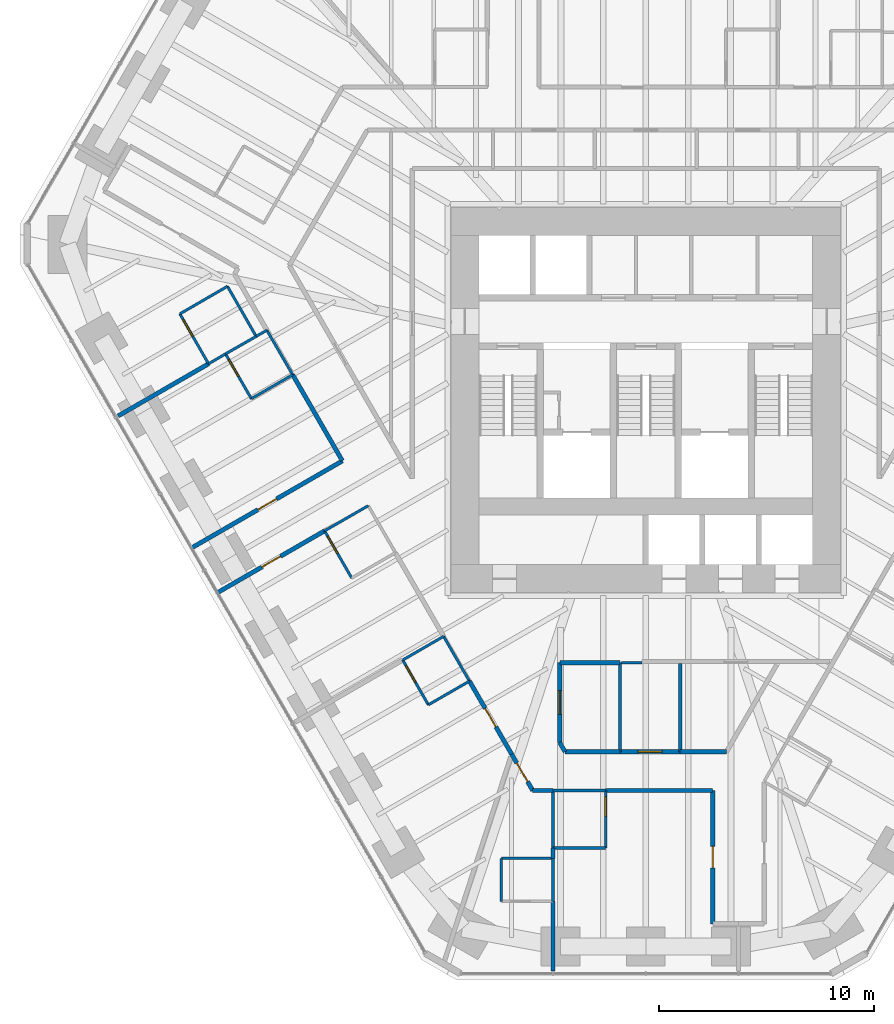
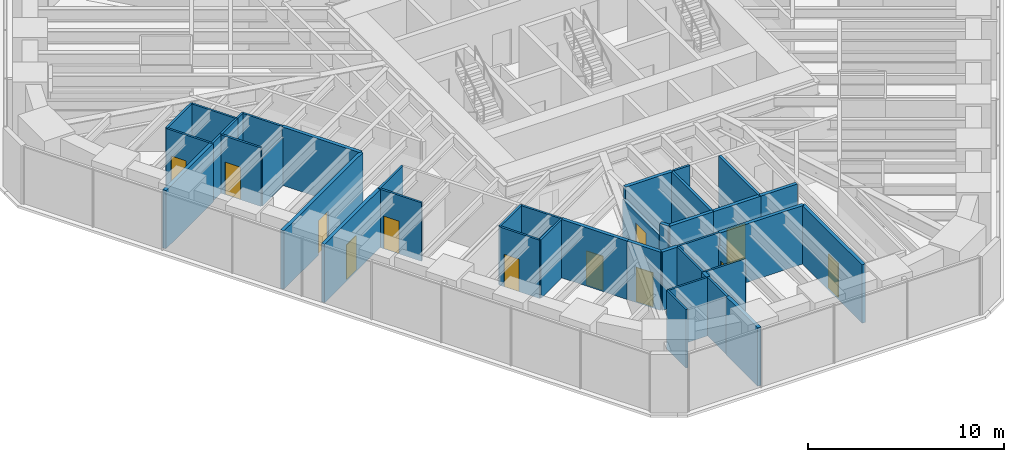
# One storey, part 11 of 16: 42 walls, 12 doors, 12 openings.
"""IFC4 building model written with IfcOpenShell, lengths in metres."""

import ifcopenshell
import ifcopenshell.guid

model = None  # the IFC model being written
_history = None  # IfcOwnerHistory: only IFC2X3 demands one
_inside = {}  # id of a spatial element -> (the spatial element, [elements in it])
_under = {}  # id of a project, library or spatial element -> (it, [spatial elements below it])
_declared = {}  # id of a project -> (the project, [libraries it declares])
_typed = {}  # id of a type object -> (the type object, [elements of that type])
_made_of = {}  # id of a material, layer set ... -> (it, [elements and type objects made of it])


def new_model(schema):
    """Start an empty IFC model of exactly this schema.

    Asked for "IFC4X3", IfcOpenShell would pick the latest addendum, in which some entities
    have other attributes; the version numbers below select the first issue.
    IFC2X3 requires an IfcOwnerHistory on every rooted entity: one is made here for all.
    """
    global model, _history
    if schema == "IFC4X3":
        model = ifcopenshell.file(schema_version=(4, 3, 0, 0))
    else:
        model = ifcopenshell.file(schema=schema)
    _inside.clear()
    _under.clear()
    _declared.clear()
    _typed.clear()
    _made_of.clear()
    _history = None
    if model.schema == "IFC2X3":
        org = make("IfcOrganization", Name="unknown")
        user = make(
            "IfcPersonAndOrganization",
            ThePerson=make("IfcPerson", FamilyName="unknown"),
            TheOrganization=org,
        )
        app = make(
            "IfcApplication",
            ApplicationDeveloper=org,
            Version="unknown",
            ApplicationFullName="unknown",
            ApplicationIdentifier="unknown",
        )
        _history = make(
            "IfcOwnerHistory",
            OwningUser=user,
            OwningApplication=app,
            ChangeAction="ADDED",
            CreationDate=0,
        )
    return model


def make(cls, **values):
    """One entity of the class cls with the attributes given. An attribute that is None is left unset."""
    return model.create_entity(
        cls, **{name: value for name, value in values.items() if value is not None}
    )


def rooted(cls, **values):
    """An entity with a GlobalId (a new one), such as an element, a storey or a relation."""
    return make(cls, GlobalId=ifcopenshell.guid.new(), OwnerHistory=_history, **values)


def si_unit(unit_type, name, prefix=None):
    """IfcSIUnit, for example si_unit("LENGTHUNIT", "METRE", prefix="MILLI")."""
    return make("IfcSIUnit", UnitType=unit_type, Prefix=prefix, Name=name)


def assignment(units):
    """IfcUnitAssignment: the units of a project."""
    return None if units is None else make("IfcUnitAssignment", Units=units)


def point(xyz):
    """IfcCartesianPoint."""
    return None if xyz is None else make("IfcCartesianPoint", Coordinates=xyz)


def direction(xyz):
    """IfcDirection."""
    return None if xyz is None else make("IfcDirection", DirectionRatios=xyz)


def frame(location, z_axis=None, x_axis=None):
    """IfcAxis2Placement3D, a coordinate frame: its origin and axes. An axis left out is left unset."""
    return make(
        "IfcAxis2Placement3D",
        Location=point(location),
        Axis=direction(z_axis),
        RefDirection=direction(x_axis),
    )


def frame_2d(location, x_axis=None):
    """IfcAxis2Placement2D, a coordinate frame in the plane: its origin and x axis."""
    return make(
        "IfcAxis2Placement2D", Location=point(location), RefDirection=direction(x_axis)
    )


def origin():
    """The frame at (0, 0, 0) with its axes left unset."""
    return frame((0.0, 0.0, 0.0))


def place(relative_to, where):
    """IfcLocalPlacement: puts the frame where relative to a parent placement (None: the world)."""
    return make(
        "IfcLocalPlacement", PlacementRelTo=relative_to, RelativePlacement=where
    )


def context(
    kind, dimensions, precision=None, world=None, true_north=None, identifier=None
):
    """IfcGeometricRepresentationContext, for example the 3D "Model" context."""
    return make(
        "IfcGeometricRepresentationContext",
        ContextIdentifier=identifier,
        ContextType=kind,
        CoordinateSpaceDimension=dimensions,
        Precision=precision,
        WorldCoordinateSystem=world,
        TrueNorth=true_north,
    )


def subcontext(parent, identifier, kind, view, scale=None):
    """IfcGeometricRepresentationSubContext, for example "Body" below "Model"."""
    return make(
        "IfcGeometricRepresentationSubContext",
        ContextIdentifier=identifier,
        ContextType=kind,
        ParentContext=parent,
        TargetScale=scale,
        TargetView=view,
    )


def project(units=None, contexts=None):
    """IfcProject with its units and contexts."""
    return rooted(
        "IfcProject",
        Name="project",
        RepresentationContexts=contexts,
        UnitsInContext=assignment(units),
    )


def spatial(cls, under=None, at=None, **own):
    """A site, building, storey or space (cls), placed at a placement, below another one or the project."""
    s = rooted(cls, ObjectPlacement=at, **own)
    if under is not None:
        _under.setdefault(under.id(), (under, []))[1].append(s)
    return s


def profile(cls, at=None, kind="AREA", **sizes):
    """A parametric profile (cls). Its sizes go by their IFC names, for example OverallWidth=200.0."""
    return make(cls, ProfileType=kind, Position=at, **sizes)


def rectangle(**sizes):
    """IfcRectangleProfileDef."""
    return profile("IfcRectangleProfileDef", **sizes)


def extrude(swept, where, along, depth):
    """IfcExtrudedAreaSolid: the profile swept, set in the frame where, extruded along a direction by depth."""
    return make(
        "IfcExtrudedAreaSolid",
        SweptArea=swept,
        Position=where,
        ExtrudedDirection=direction(along),
        Depth=depth,
    )


def shape(context_of_items, identifier, shape_type, items):
    """IfcShapeRepresentation: the items that make up one representation, for example the "Body"."""
    return make(
        "IfcShapeRepresentation",
        ContextOfItems=context_of_items,
        RepresentationIdentifier=identifier,
        RepresentationType=shape_type,
        Items=items,
    )


def material(Name=None, Category=None):
    """IfcMaterial."""
    return make("IfcMaterial", Name=Name, Category=Category)


def layer(
    of_material, thickness, ventilated=None, Name=None, Category=None, Priority=None
):
    """IfcMaterialLayer: one layer of a wall or slab, of a material (None: an air gap)."""
    return make(
        "IfcMaterialLayer",
        Material=of_material,
        LayerThickness=thickness,
        IsVentilated=ventilated,
        Name=Name,
        Category=Category,
        Priority=Priority,
    )


def layer_set(layers, Name=None):
    """IfcMaterialLayerSet."""
    return make("IfcMaterialLayerSet", MaterialLayers=layers, LayerSetName=Name)


def made_of(thing, what):
    """Note that an element or type object is made of a material, layer set ...; save() writes the relation."""
    if what is not None:
        _made_of.setdefault(what.id(), (what, []))[1].append(thing)
    return thing


def type_object(cls, material=None, **own):
    """A type object (cls), such as IfcWallType, which elements share."""
    return made_of(rooted(cls, **own), material)


def element(
    cls,
    number,
    at=None,
    inside=None,
    cuts=None,
    type_object=None,
    material=None,
    context=None,
    identifier="Body",
    shape_type=None,
    held_by="IfcProductDefinitionShape",
    body=None,
    shapes=None,
    **own,
):
    """One element of the class cls, such as IfcWall. Its Tag is "e" and its number.

    at: its placement. inside: the storey or other place that contains it. cuts: it is an
    opening in that element (IfcRelVoidsElement). A single representation is given by context,
    identifier, shape_type and body (its items); several are given by shapes. held_by: the class
    of the entity that holds the representations. save() writes the other relations.
    """
    e = rooted(cls, Tag="e%d" % number, ObjectPlacement=at, **own)
    if body is not None:
        shapes = [shape(context, identifier, shape_type, body)]
    if shapes is not None:
        e.Representation = make(held_by, Representations=shapes)
    if inside is not None:
        _inside.setdefault(inside.id(), (inside, []))[1].append(e)
    if cuts is not None:
        rooted(
            "IfcRelVoidsElement", RelatingBuildingElement=cuts, RelatedOpeningElement=e
        )
    if type_object is not None:
        _typed.setdefault(type_object.id(), (type_object, []))[1].append(e)
    return made_of(e, material)


def fill(opening, filler):
    """IfcRelFillsElement: the door or window that sits in an opening."""
    return rooted(
        "IfcRelFillsElement",
        RelatingOpeningElement=opening,
        RelatedBuildingElement=filler,
    )


def aggregate(whole, parts):
    """IfcRelAggregates: a whole, such as a stair, and the parts it consists of."""
    return rooted("IfcRelAggregates", RelatingObject=whole, RelatedObjects=parts)


def save(model, path):
    """Write the relations noted so far, then the file.

    IfcRelAggregates (storeys below a building ...), IfcRelContainedInSpatialStructure (elements
    in a storey), IfcRelDefinesByType, IfcRelAssociatesMaterial and IfcRelDeclares: one each for
    every whole, place, type object, material and project.
    """
    for whole, parts in _under.values():
        aggregate(whole, parts)
    for where, things in _inside.values():
        rooted(
            "IfcRelContainedInSpatialStructure",
            RelatedElements=things,
            RelatingStructure=where,
        )
    for kind, things in _typed.values():
        rooted("IfcRelDefinesByType", RelatedObjects=things, RelatingType=kind)
    for what, things in _made_of.values():
        rooted("IfcRelAssociatesMaterial", RelatedObjects=things, RelatingMaterial=what)
    for by, libraries in _declared.values():
        rooted("IfcRelDeclares", RelatingContext=by, RelatedDefinitions=libraries)
    model.write(path)


model = new_model("IFC4")

# Units and contexts
model_context = context("Model", 3, precision=1e-05, world=origin(), true_north=direction((0.0, 1.0)))
body_context = subcontext(model_context, "Body", "Model", "MODEL_VIEW")
ifc_project = project(units=[si_unit("LENGTHUNIT", "METRE"), si_unit("AREAUNIT", "SQUARE_METRE"), si_unit("VOLUMEUNIT", "CUBIC_METRE"), si_unit("PLANEANGLEUNIT", "RADIAN"), si_unit("MASSUNIT", "GRAM", prefix="KILO")], contexts=[model_context])

# Site, building, storey
site_placement = place(None, origin())
site = spatial("IfcSite", under=ifc_project, at=site_placement, CompositionType="ELEMENT")
building_placement = place(site_placement, origin())
building = spatial("IfcBuilding", under=site, at=building_placement, Name="Sandreach Pilgrim Tower", CompositionType="ELEMENT")
storey_placement = place(building_placement, frame((0.0, 0.0, 115.800048828125)))
storey = spatial("IfcBuildingStorey", under=building, at=storey_placement, Name="L28", CompositionType="ELEMENT", Elevation=115.800048828125)

# Walls
ifc_material_1 = material(Name="Gypsum board on steel studs", Category="steel")
ifc_layer_1 = layer(ifc_material_1, 0.14990234375)
ifc_layer_set_1 = layer_set([ifc_layer_1], Name="Back of house wall 150")
wall_type_1 = type_object("IfcWallType", Name="Back of house wall 150", PredefinedType="PARTITIONING", material=ifc_layer_set_1)
wall_1_placement = place(storey_placement, frame((-1.199951171875, -13.75, 0.0), z_axis=(0.0, 0.0, 1.0), x_axis=(0.0, -1.0, 0.0)))
element("IfcWall", 1, at=wall_1_placement, inside=storey, type_object=wall_type_1, Name="Back of house wall L28-080", PredefinedType="PARTITIONING", context=body_context, shape_type="SweptSolid", body=[
    extrude(rectangle(XDim=4.139892578125, YDim=0.14990234375, at=frame_2d((2.06982421875, 0.0))), origin(), (0.0, 0.0, 1.0), 3.639892578125),
])
wall_2_placement = place(storey_placement, frame((1.60009765625, -13.800048828125, 0.0), z_axis=(0.0, 0.0, 1.0), x_axis=(0.0, -1.0, 0.0)))
element("IfcWall", 2, at=wall_2_placement, inside=storey, type_object=wall_type_1, Name="Back of house wall L28-083", PredefinedType="PARTITIONING", context=body_context, shape_type="SweptSolid", body=[
    extrude(rectangle(XDim=4.08984375, YDim=0.14990234375, at=frame_2d((2.044921875, 0.0))), origin(), (0.0, 0.0, 1.0), 3.639892578125),
])

# Wall, opening, door
ifc_material_2 = material(Name="Moisture-resistant gypsum board on steel studs", Category="steel")
ifc_layer_2 = layer(ifc_material_2, 0.1201171875)
ifc_layer_set_2 = layer_set([ifc_layer_2], Name="Bathroom partition 120")
wall_type_2 = type_object("IfcWallType", Name="Bathroom partition 120", PredefinedType="PARTITIONING", material=ifc_layer_set_2)
wall_3_placement = place(storey_placement, frame((-21.639892578125, 2.449951171875, 0.0), z_axis=(0.0, 0.0, 1.0), x_axis=(0.497288831399, -0.867585049529, 0.0)))
wall_3 = element("IfcWall", 3, at=wall_3_placement, inside=storey, type_object=wall_type_2, Name="Bathroom partition L28-007", PredefinedType="PARTITIONING", context=body_context, shape_type="SweptSolid", body=[
    extrude(rectangle(XDim=2.674072265625, YDim=0.1201171875, at=frame_2d((1.3369140625, 0.0))), origin(), (0.0, 0.0, 1.0), 3.639892578125),
])
opening_1_placement = place(wall_3_placement, frame((0.300048828125, 0.0, 0.0)))
opening_1 = element("IfcOpeningElement", 4, at=opening_1_placement, cuts=wall_3, Name="Opening D09-15B", PredefinedType="OPENING", context=body_context, shape_type="SweptSolid", body=[
    extrude(rectangle(XDim=0.89990234375, YDim=2.030029296875, at=frame_2d((0.449951171875, 1.01513671875))), frame((0.0, 0.06005859375, 0.0), z_axis=(0.0, -1.0, 0.0), x_axis=(1.0, 0.0, 0.0)), (0.0, 0.0, 1.0), 0.1201171875),
])
ifc_material_3 = material(Name="Timber door, steel frame", Category="steel")
door_type_1 = type_object("IfcDoorType", Name="Bathroom door", OperationType="SINGLE_SWING_LEFT", PredefinedType="DOOR", material=ifc_material_3)
door_1_placement = place(opening_1_placement, origin())
door_1 = element("IfcDoor", 5, at=door_1_placement, inside=storey, type_object=door_type_1, Name="Door 2815B", OperationType="SINGLE_SWING_LEFT", OverallHeight=2.030029296875, OverallWidth=0.89990234375, PredefinedType="DOOR", context=body_context, shape_type="SweptSolid", body=[
    extrude(rectangle(XDim=0.89990234375, YDim=2.030029296875, at=frame_2d((0.449951171875, 1.01513671875))), frame((0.0, 0.02490234375, 0.0), z_axis=(0.0, -1.0, 0.0), x_axis=(1.0, 0.0, 0.0)), (0.0, 0.0, 1.0), 0.050048828125),
])
fill(opening_1, door_1)

# Wall
wall_4_placement = place(storey_placement, frame((-20.31005859375, 0.1298828125, 0.0), z_axis=(0.0, 0.0, 1.0), x_axis=(0.864088651014, 0.503339649926, 0.0)))
element("IfcWall", 6, at=wall_4_placement, inside=storey, type_object=wall_type_2, Name="Bathroom partition L28-008", PredefinedType="PARTITIONING", context=body_context, shape_type="SweptSolid", body=[
    extrude(rectangle(XDim=0.914306640625, YDim=0.1201171875, at=frame_2d((0.45703125, 0.0))), origin(), (0.0, 0.0, 1.0), 3.639892578125),
])

# Wall, opening, door
wall_5_placement = place(storey_placement, frame((-19.52001953125, 0.590087890625, 0.0), z_axis=(0.0, 0.0, 1.0), x_axis=(0.499693115345, -0.866202511239, 0.0)))
wall_5 = element("IfcWall", 7, at=wall_5_placement, inside=storey, type_object=wall_type_2, Name="Bathroom partition L28-011", PredefinedType="PARTITIONING", context=body_context, shape_type="SweptSolid", body=[
    extrude(rectangle(XDim=2.4013671875, YDim=0.1201171875, at=frame_2d((1.20068359375, 0.0))), origin(), (0.0, 0.0, 1.0), 3.639892578125),
])
opening_2_placement = place(wall_5_placement, frame((0.300048828125, 0.0, 0.0)))
opening_2 = element("IfcOpeningElement", 8, at=opening_2_placement, cuts=wall_5, Name="Opening D09-14B", PredefinedType="OPENING", context=body_context, shape_type="SweptSolid", body=[
    extrude(rectangle(XDim=0.89990234375, YDim=2.030029296875, at=frame_2d((0.449951171875, 1.01513671875))), frame((0.0, 0.06005859375, 0.0), z_axis=(0.0, -1.0, 0.0), x_axis=(1.0, 0.0, 0.0)), (0.0, 0.0, 1.0), 0.1201171875),
])
door_2_placement = place(opening_2_placement, origin())
door_2 = element("IfcDoor", 9, at=door_2_placement, inside=storey, type_object=door_type_1, Name="Door 2814B", OperationType="SINGLE_SWING_LEFT", OverallHeight=2.030029296875, OverallWidth=0.89990234375, PredefinedType="DOOR", context=body_context, shape_type="SweptSolid", body=[
    extrude(rectangle(XDim=0.89990234375, YDim=2.030029296875, at=frame_2d((0.449951171875, 1.01513671875))), frame((0.0, 0.02490234375, 0.0), z_axis=(0.0, -1.0, 0.0), x_axis=(1.0, 0.0, 0.0)), (0.0, 0.0, 1.0), 0.050048828125),
])
fill(opening_2, door_2)

# Walls
wall_6_placement = place(storey_placement, frame((-19.52001953125, 0.590087890625, 0.0), z_axis=(0.0, 0.0, 1.0), x_axis=(0.868013991935, 0.496539736381, 0.0)))
element("IfcWall", 10, at=wall_6_placement, inside=storey, type_object=wall_type_2, Name="Bathroom partition L28-012", PredefinedType="PARTITIONING", context=body_context, shape_type="SweptSolid", body=[
    extrude(rectangle(XDim=1.6396484375, YDim=0.1201171875, at=frame_2d((0.81982421875, 0.0))), origin(), (0.0, 0.0, 1.0), 3.639892578125),
])
wall_7_placement = place(storey_placement, frame((-19.429931640625, 3.72998046875, 0.0), z_axis=(0.0, 0.0, 1.0), x_axis=(-0.865328095335, -0.50120583339, 0.0)))
element("IfcWall", 11, at=wall_7_placement, inside=storey, type_object=wall_type_2, Name="Bathroom partition L28-013", PredefinedType="PARTITIONING", context=body_context, shape_type="SweptSolid", body=[
    extrude(rectangle(XDim=2.553955078125, YDim=0.1201171875, at=frame_2d((1.27685546875, 0.0))), origin(), (0.0, 0.0, 1.0), 3.639892578125),
])
wall_8_placement = place(storey_placement, frame((-18.320068359375, -1.489990234375, 0.0), z_axis=(0.0, 0.0, 1.0), x_axis=(0.865732595383, 0.500506816428, 0.0)))
element("IfcWall", 12, at=wall_8_placement, inside=storey, type_object=wall_type_2, Name="Bathroom partition L28-017", PredefinedType="PARTITIONING", context=body_context, shape_type="SweptSolid", body=[
    extrude(rectangle(XDim=2.218017578125, YDim=0.1201171875, at=frame_2d((1.10888671875, 0.0))), origin(), (0.0, 0.0, 1.0), 3.022705078125),
])
wall_9_placement = place(storey_placement, frame((-18.10009765625, 1.409912109375, 0.0), z_axis=(0.0, 0.0, 1.0), x_axis=(-0.497288831399, 0.867585049529, 0.0)))
element("IfcWall", 13, at=wall_9_placement, inside=storey, type_object=wall_type_2, Name="Bathroom partition L28-018", PredefinedType="PARTITIONING", context=body_context, shape_type="SweptSolid", body=[
    extrude(rectangle(XDim=2.674072265625, YDim=0.1201171875, at=frame_2d((1.3369140625, 0.0))), origin(), (0.0, 0.0, 1.0), 3.639892578125),
])
wall_10_placement = place(storey_placement, frame((-18.0966796875, 1.404296875, 0.0), z_axis=(0.0, 0.0, 1.0), x_axis=(0.866823419736, 0.498615241441, 0.0)))
element("IfcWall", 14, at=wall_10_placement, inside=storey, type_object=wall_type_2, Name="Bathroom partition L28-019", PredefinedType="PARTITIONING", context=body_context, shape_type="SweptSolid", body=[
    extrude(rectangle(XDim=0.57275390625, YDim=0.1201171875, at=frame_2d((0.286376953125, 0.0))), origin(), (0.0, 0.0, 1.0), 3.639892578125),
])
wall_11_placement = place(storey_placement, frame((-17.60009765625, 1.68994140625, 0.0), z_axis=(0.0, 0.0, 1.0), x_axis=(0.501579132034, -0.865111769836, 0.0)))
element("IfcWall", 15, at=wall_11_placement, inside=storey, type_object=wall_type_2, Name="Bathroom partition L28-021", PredefinedType="PARTITIONING", context=body_context, shape_type="SweptSolid", body=[
    extrude(rectangle(XDim=2.392822265625, YDim=0.1201171875, at=frame_2d((1.1962890625, 0.0))), origin(), (0.0, 0.0, 1.0), 3.639892578125),
])

# Wall, opening, door
wall_12_placement = place(storey_placement, frame((-14.919921875, -7.6298828125, 0.0), z_axis=(0.0, 0.0, 1.0), x_axis=(0.498665353881, -0.866794592068, 0.0)))
wall_12 = element("IfcWall", 16, at=wall_12_placement, inside=storey, type_object=wall_type_2, Name="Bathroom partition L28-027", PredefinedType="PARTITIONING", context=body_context, shape_type="SweptSolid", body=[
    extrude(rectangle(XDim=2.52685546875, YDim=0.1201171875, at=frame_2d((1.263427734375, 0.0))), origin(), (0.0, 0.0, 1.0), 3.639892578125),
])
opening_3_placement = place(wall_12_placement, frame((0.300048828125, 0.0, 0.0)))
opening_3 = element("IfcOpeningElement", 17, at=opening_3_placement, cuts=wall_12, Name="Opening D09-13B", PredefinedType="OPENING", context=body_context, shape_type="SweptSolid", body=[
    extrude(rectangle(XDim=0.89990234375, YDim=2.030029296875, at=frame_2d((0.449951171875, 1.01513671875))), frame((0.0, 0.06005859375, 0.0), z_axis=(0.0, -1.0, 0.0), x_axis=(1.0, 0.0, 0.0)), (0.0, 0.0, 1.0), 0.1201171875),
])
door_3_placement = place(opening_3_placement, origin())
door_3 = element("IfcDoor", 18, at=door_3_placement, inside=storey, type_object=door_type_1, Name="Door 2813B", OperationType="SINGLE_SWING_LEFT", OverallHeight=2.030029296875, OverallWidth=0.89990234375, PredefinedType="DOOR", context=body_context, shape_type="SweptSolid", body=[
    extrude(rectangle(XDim=0.89990234375, YDim=2.030029296875, at=frame_2d((0.449951171875, 1.01513671875))), frame((0.0, 0.02490234375, 0.0), z_axis=(0.0, -1.0, 0.0), x_axis=(1.0, 0.0, 0.0)), (0.0, 0.0, 1.0), 0.050048828125),
])
fill(opening_3, door_3)

# Wall
wall_13_placement = place(storey_placement, frame((-14.919921875, -7.6298828125, 0.0), z_axis=(0.0, 0.0, 1.0), x_axis=(0.866390229467, 0.499367570316, 0.0)))
element("IfcWall", 19, at=wall_13_placement, inside=storey, type_object=wall_type_2, Name="Bathroom partition L28-028", PredefinedType="PARTITIONING", context=body_context, shape_type="SweptSolid", body=[
    extrude(rectangle(XDim=2.3427734375, YDim=0.1201171875, at=frame_2d((1.17138671875, 0.0))), origin(), (0.0, 0.0, 1.0), 3.639892578125),
])

# Wall, opening, door
wall_14_placement = place(storey_placement, frame((-11.2900390625, -13.6298828125, 0.0), z_axis=(0.0, 0.0, 1.0), x_axis=(0.496555799318, -0.868004803076, 0.0)))
wall_14 = element("IfcWall", 20, at=wall_14_placement, inside=storey, type_object=wall_type_2, Name="Bathroom partition L28-038", PredefinedType="PARTITIONING", context=body_context, shape_type="SweptSolid", body=[
    extrude(rectangle(XDim=2.396484375, YDim=0.1201171875, at=frame_2d((1.1982421875, 0.0))), origin(), (0.0, 0.0, 1.0), 3.639892578125),
])
opening_4_placement = place(wall_14_placement, frame((0.300048828125, 0.0, 0.0)))
opening_4 = element("IfcOpeningElement", 21, at=opening_4_placement, cuts=wall_14, Name="Opening D09-12B", PredefinedType="OPENING", context=body_context, shape_type="SweptSolid", body=[
    extrude(rectangle(XDim=0.89990234375, YDim=2.030029296875, at=frame_2d((0.449951171875, 1.01513671875))), frame((0.0, 0.06005859375, 0.0), z_axis=(0.0, -1.0, 0.0), x_axis=(1.0, 0.0, 0.0)), (0.0, 0.0, 1.0), 0.1201171875),
])
door_4_placement = place(opening_4_placement, origin())
door_4 = element("IfcDoor", 22, at=door_4_placement, inside=storey, type_object=door_type_1, Name="Door 2812B", OperationType="SINGLE_SWING_LEFT", OverallHeight=2.030029296875, OverallWidth=0.89990234375, PredefinedType="DOOR", context=body_context, shape_type="SweptSolid", body=[
    extrude(rectangle(XDim=0.89990234375, YDim=2.030029296875, at=frame_2d((0.449951171875, 1.01513671875))), frame((0.0, 0.02490234375, 0.0), z_axis=(0.0, -1.0, 0.0), x_axis=(1.0, 0.0, 0.0)), (0.0, 0.0, 1.0), 0.050048828125),
])
fill(opening_4, door_4)

# Walls
wall_15_placement = place(storey_placement, frame((-11.2900390625, -13.6298828125, 0.0), z_axis=(0.0, 0.0, 1.0), x_axis=(0.865444051011, 0.501005583372, 0.0)))
element("IfcWall", 23, at=wall_15_placement, inside=storey, type_object=wall_type_2, Name="Bathroom partition L28-039", PredefinedType="PARTITIONING", context=body_context, shape_type="SweptSolid", body=[
    extrude(rectangle(XDim=2.1953125, YDim=0.1201171875, at=frame_2d((1.09765625, 0.0))), origin(), (0.0, 0.0, 1.0), 3.639892578125),
])
wall_16_placement = place(storey_placement, frame((-10.10009765625, -15.7099609375, 0.0), z_axis=(0.0, 0.0, 1.0), x_axis=(0.866609394187, 0.498987132006, 0.0)))
element("IfcWall", 24, at=wall_16_placement, inside=storey, type_object=wall_type_2, Name="Bathroom partition L28-043", PredefinedType="PARTITIONING", context=body_context, shape_type="SweptSolid", body=[
    extrude(rectangle(XDim=2.2041015625, YDim=0.1201171875, at=frame_2d((1.10205078125, 0.0))), origin(), (0.0, 0.0, 1.0), 3.639892578125),
])
wall_17_placement = place(storey_placement, frame((-9.389892578125, -12.530029296875, 0.0), z_axis=(0.0, 0.0, 1.0), x_axis=(0.499737123639, -0.866177122335, 0.0)))
element("IfcWall", 25, at=wall_17_placement, inside=storey, type_object=wall_type_2, Name="Bathroom partition L28-047", PredefinedType="PARTITIONING", context=body_context, shape_type="SweptSolid", body=[
    extrude(rectangle(XDim=2.401123046875, YDim=0.1201171875, at=frame_2d((1.20068359375, 0.0))), origin(), (0.0, 0.0, 1.0), 3.639892578125),
])
for number, where, z_axis, x_axis, name in (
    (26, (-6.7099609375, -22.840087890625, 0.0), (0.0, 0.0, 1.0), (0.0, -1.0, 0.0), "Bathroom partition L28-057"),
    (27, (-4.31005859375, -24.840087890625, 0.0), (0.0, 0.0, 1.0), (0.0, 1.0, 0.0), "Bathroom partition L28-065"),
):
    element("IfcWall", number, at=place(storey_placement, frame(where, z_axis=z_axis, x_axis=x_axis)), inside=storey, type_object=wall_type_2, Name=name, PredefinedType="PARTITIONING", context=body_context, shape_type="SweptSolid", body=[
        extrude(rectangle(XDim=2.0, YDim=0.1201171875, at=frame_2d((1.0, 0.0))), origin(), (0.0, 0.0, 1.0), 3.639892578125),
    ])
wall_18_placement = place(storey_placement, frame((-4.31005859375, -22.840087890625, 0.0), z_axis=(0.0, 0.0, 1.0), x_axis=(-1.0, 0.0, 0.0)))
element("IfcWall", 28, at=wall_18_placement, inside=storey, type_object=wall_type_2, Name="Bathroom partition L28-066", PredefinedType="PARTITIONING", context=body_context, shape_type="SweptSolid", body=[
    extrude(rectangle(XDim=2.39990234375, YDim=0.1201171875, at=frame_2d((1.199951171875, 0.0))), origin(), (0.0, 0.0, 1.0), 3.639892578125),
])
wall_19_placement = place(storey_placement, frame((-4.31005859375, -22.360107421875, 0.0), z_axis=(0.0, 0.0, 1.0), x_axis=(0.0, 1.0, 0.0)))
element("IfcWall", 29, at=wall_19_placement, inside=storey, type_object=wall_type_2, Name="Bathroom partition L28-068", PredefinedType="PARTITIONING", context=body_context, shape_type="SweptSolid", body=[
    extrude(rectangle(XDim=2.670166015625, YDim=0.1201171875, at=frame_2d((1.3349609375, 0.0))), origin(), (0.0, 0.0, 1.0), 3.639892578125),
])
for number, where, z_axis, x_axis, name in (
    (30, (-4.31005859375, -22.360107421875, 0.0), (0.0, 0.0, 1.0), (1.0, 0.0, 0.0), "Bathroom partition L28-069"),
    (31, (-4.31005859375, -19.68994140625, 0.0), (0.0, 0.0, 1.0), (1.0, 0.0, 0.0), "Bathroom partition L28-070"),
):
    element("IfcWall", number, at=place(storey_placement, frame(where, z_axis=z_axis, x_axis=x_axis)), inside=storey, type_object=wall_type_2, Name=name, PredefinedType="PARTITIONING", context=body_context, shape_type="SweptSolid", body=[
        extrude(rectangle(XDim=2.449951171875, YDim=0.1201171875, at=frame_2d((1.22509765625, 0.0))), origin(), (0.0, 0.0, 1.0), 3.639892578125),
    ])

# Wall, opening, door
wall_20_placement = place(storey_placement, frame((-1.860107421875, -22.360107421875, 0.0), z_axis=(0.0, 0.0, 1.0), x_axis=(0.0, 1.0, 0.0)))
wall_20 = element("IfcWall", 32, at=wall_20_placement, inside=storey, type_object=wall_type_2, Name="Bathroom partition L28-077", PredefinedType="PARTITIONING", context=body_context, shape_type="SweptSolid", body=[
    extrude(rectangle(XDim=2.670166015625, YDim=0.1201171875, at=frame_2d((1.3349609375, 0.0))), origin(), (0.0, 0.0, 1.0), 2.860107421875),
])
opening_5_placement = place(wall_20_placement, frame((1.469970703125, 0.0, 0.0)))
opening_5 = element("IfcOpeningElement", 33, at=opening_5_placement, cuts=wall_20, Name="Opening D09-10B", PredefinedType="OPENING", context=body_context, shape_type="SweptSolid", body=[
    extrude(rectangle(XDim=0.89990234375, YDim=2.030029296875, at=frame_2d((0.449951171875, 1.01513671875))), frame((0.0, 0.06005859375, 0.0), z_axis=(0.0, -1.0, 0.0), x_axis=(1.0, 0.0, 0.0)), (0.0, 0.0, 1.0), 0.1201171875),
])
door_5_placement = place(opening_5_placement, origin())
door_5 = element("IfcDoor", 34, at=door_5_placement, inside=storey, type_object=door_type_1, Name="Door 2810B", OperationType="SINGLE_SWING_RIGHT", OverallHeight=2.030029296875, OverallWidth=0.89990234375, PredefinedType="DOOR", context=body_context, shape_type="SweptSolid", body=[
    extrude(rectangle(XDim=0.89990234375, YDim=2.030029296875, at=frame_2d((0.449951171875, 1.01513671875))), frame((0.0, 0.02490234375, 0.0), z_axis=(0.0, -1.0, 0.0), x_axis=(1.0, 0.0, 0.0)), (0.0, 0.0, 1.0), 0.050048828125),
])
fill(opening_5, door_5)

# Wall
wall_21_placement = place(storey_placement, frame((-1.125, -13.75, 0.0), z_axis=(0.0, 0.0, 1.0), x_axis=(1.0, 0.0, 0.0)))
element("IfcWall", 35, at=wall_21_placement, inside=storey, type_object=wall_type_2, Name="Bathroom partition L28-081", PredefinedType="PARTITIONING", context=body_context, shape_type="SweptSolid", body=[
    extrude(rectangle(XDim=0.955078125, YDim=0.1201171875, at=frame_2d((0.4775390625, 0.0))), origin(), (0.0, 0.0, 1.0), 3.639892578125),
])

# Wall, opening, door
ifc_material_4 = material(Name="Gypsum board on steel studs, two layers each side", Category="steel")
ifc_layer_3 = layer(ifc_material_4, 0.199951171875)
ifc_layer_set_3 = layer_set([ifc_layer_3], Name="Corridor wall 200")
wall_type_3 = type_object("IfcWallType", Name="Corridor wall 200", PredefinedType="PARTITIONING", material=ifc_layer_set_3)
wall_22_placement = place(storey_placement, frame((-19.884033203125, -10.4951171875, 0.0), z_axis=(0.0, 0.0, 1.0), x_axis=(0.86608558139, 0.499895754841, 0.0)))
wall_22 = element("IfcWall", 36, at=wall_22_placement, inside=storey, type_object=wall_type_3, Name="Corridor wall L28-010", PredefinedType="PARTITIONING", context=body_context, shape_type="SweptSolid", body=[
    extrude(rectangle(XDim=5.731689453125, YDim=0.199951171875, at=frame_2d((2.86572265625, 0.0))), origin(), (0.0, 0.0, 1.0), 3.639892578125),
])
opening_6_placement = place(wall_22_placement, frame((2.36572265625, 0.0, 0.0)))
opening_6 = element("IfcOpeningElement", 37, at=opening_6_placement, cuts=wall_22, Name="Opening D10-13", PredefinedType="OPENING", context=body_context, shape_type="SweptSolid", body=[
    extrude(rectangle(XDim=1.0, YDim=2.1298828125, at=frame_2d((0.5, 1.06494140625))), frame((0.0, 0.10009765625, 0.0), z_axis=(0.0, -1.0, 0.0), x_axis=(1.0, 0.0, 0.0)), (0.0, 0.0, 1.0), 0.199951171875),
])
ifc_material_5 = material(Name="Steel door and frame", Category="steel")
door_type_2 = type_object("IfcDoorType", Name="Guest room entry door", OperationType="SINGLE_SWING_LEFT", PredefinedType="DOOR", material=ifc_material_5)
door_6_placement = place(opening_6_placement, origin())
door_6 = element("IfcDoor", 38, at=door_6_placement, inside=storey, type_object=door_type_2, Name="Door 2813", OperationType="SINGLE_SWING_LEFT", OverallHeight=2.1298828125, OverallWidth=1.0, PredefinedType="DOOR", context=body_context, shape_type="SweptSolid", body=[
    extrude(rectangle(XDim=1.0, YDim=2.1298828125, at=frame_2d((0.5, 1.06494140625))), frame((0.0, 0.02490234375, 0.0), z_axis=(0.0, -1.0, 0.0), x_axis=(1.0, 0.0, 0.0)), (0.0, 0.0, 1.0), 0.050048828125),
])
fill(opening_6, door_6)

# Wall
wall_23_placement = place(storey_placement, frame((-16.39990234375, -0.3798828125, 0.0), z_axis=(0.0, 0.0, 1.0), x_axis=(0.500091179446, -0.865972754907, 0.0)))
element("IfcWall", 39, at=wall_23_placement, inside=storey, type_object=wall_type_3, Name="Corridor wall L28-025", PredefinedType="PARTITIONING", context=body_context, shape_type="SweptSolid", body=[
    extrude(rectangle(XDim=4.604248046875, YDim=0.199951171875, at=frame_2d((2.30224609375, 0.0))), origin(), (0.0, 0.0, 1.0), 3.639892578125),
])

# Wall, opening, door
wall_24_placement = place(storey_placement, frame((-14.090087890625, -4.3798828125, 0.0), z_axis=(0.0, 0.0, 1.0), x_axis=(-0.866174008169, -0.499742521277, 0.0)))
wall_24 = element("IfcWall", 40, at=wall_24_placement, inside=storey, type_object=wall_type_3, Name="Corridor wall L28-029", PredefinedType="PARTITIONING", context=body_context, shape_type="SweptSolid", body=[
    extrude(rectangle(XDim=8.074462890625, YDim=0.199951171875, at=frame_2d((4.037109375, 0.0))), origin(), (0.0, 0.0, 1.0), 3.639892578125),
])
opening_7_placement = place(wall_24_placement, frame((3.537353515625, 0.0, 0.0)))
opening_7 = element("IfcOpeningElement", 41, at=opening_7_placement, cuts=wall_24, Name="Opening D10-14", PredefinedType="OPENING", context=body_context, shape_type="SweptSolid", body=[
    extrude(rectangle(XDim=1.0, YDim=2.1298828125, at=frame_2d((0.5, 1.06494140625))), frame((0.0, 0.10009765625, 0.0), z_axis=(0.0, -1.0, 0.0), x_axis=(1.0, 0.0, 0.0)), (0.0, 0.0, 1.0), 0.199951171875),
])
door_7_placement = place(opening_7_placement, origin())
door_7 = element("IfcDoor", 42, at=door_7_placement, inside=storey, type_object=door_type_2, Name="Door 2814", OperationType="SINGLE_SWING_LEFT", OverallHeight=2.1298828125, OverallWidth=1.0, PredefinedType="DOOR", context=body_context, shape_type="SweptSolid", body=[
    extrude(rectangle(XDim=1.0, YDim=2.1298828125, at=frame_2d((0.5, 1.06494140625))), frame((0.0, 0.02490234375, 0.0), z_axis=(0.0, -1.0, 0.0), x_axis=(1.0, 0.0, 0.0)), (0.0, 0.0, 1.0), 0.050048828125),
])
fill(opening_7, door_7)

wall_25_placement = place(storey_placement, frame((-8.18994140625, -14.610107421875, 0.0), z_axis=(0.0, 0.0, 1.0), x_axis=(0.50053726643, -0.86571499058, 0.0)))
wall_25 = element("IfcWall", 43, at=wall_25_placement, inside=storey, type_object=wall_type_3, Name="Corridor wall L28-048", PredefinedType="PARTITIONING", context=body_context, shape_type="SweptSolid", body=[
    extrude(rectangle(XDim=3.915771484375, YDim=0.199951171875, at=frame_2d((1.9580078125, 0.0))), origin(), (0.0, 0.0, 1.0), 3.639892578125),
])
opening_8_placement = place(wall_25_placement, frame((1.4580078125, 0.0, 0.0)))
opening_8 = element("IfcOpeningElement", 44, at=opening_8_placement, cuts=wall_25, Name="Opening D10-12", PredefinedType="OPENING", context=body_context, shape_type="SweptSolid", body=[
    extrude(rectangle(XDim=1.0, YDim=2.1298828125, at=frame_2d((0.5, 1.06494140625))), frame((0.0, 0.10009765625, 0.0), z_axis=(0.0, -1.0, 0.0), x_axis=(1.0, 0.0, 0.0)), (0.0, 0.0, 1.0), 0.199951171875),
])
door_8_placement = place(opening_8_placement, origin())
door_8 = element("IfcDoor", 45, at=door_8_placement, inside=storey, type_object=door_type_2, Name="Door 2812", OperationType="SINGLE_SWING_LEFT", OverallHeight=2.1298828125, OverallWidth=1.0, PredefinedType="DOOR", context=body_context, shape_type="SweptSolid", body=[
    extrude(rectangle(XDim=1.0, YDim=2.1298828125, at=frame_2d((0.5, 1.06494140625))), frame((0.0, 0.02490234375, 0.0), z_axis=(0.0, -1.0, 0.0), x_axis=(1.0, 0.0, 0.0)), (0.0, 0.0, 1.0), 0.050048828125),
])
fill(opening_8, door_8)

wall_26_placement = place(storey_placement, frame((-6.22998046875, -18.0, 0.0), z_axis=(0.0, 0.0, 1.0), x_axis=(0.501647016168, -0.86507240805, 0.0)))
wall_26 = element("IfcWall", 46, at=wall_26_placement, inside=storey, type_object=wall_type_3, Name="Corridor wall L28-058", PredefinedType="PARTITIONING", context=body_context, shape_type="SweptSolid", body=[
    extrude(rectangle(XDim=1.95361328125, YDim=0.199951171875, at=frame_2d((0.976806640625, 0.0))), origin(), (0.0, 0.0, 1.0), 3.639892578125),
])
opening_9_placement = place(wall_26_placement, frame((0.476806640625, 0.0, 0.0)))
opening_9 = element("IfcOpeningElement", 47, at=opening_9_placement, cuts=wall_26, Name="Opening D10-11", PredefinedType="OPENING", context=body_context, shape_type="SweptSolid", body=[
    extrude(rectangle(XDim=1.0, YDim=2.1298828125, at=frame_2d((0.5, 1.06494140625))), frame((0.0, 0.10009765625, 0.0), z_axis=(0.0, -1.0, 0.0), x_axis=(1.0, 0.0, 0.0)), (0.0, 0.0, 1.0), 0.199951171875),
])
door_9_placement = place(opening_9_placement, origin())
door_9 = element("IfcDoor", 48, at=door_9_placement, inside=storey, type_object=door_type_2, Name="Door 2811", OperationType="SINGLE_SWING_LEFT", OverallHeight=2.1298828125, OverallWidth=1.0, PredefinedType="DOOR", context=body_context, shape_type="SweptSolid", body=[
    extrude(rectangle(XDim=1.0, YDim=2.1298828125, at=frame_2d((0.5, 1.06494140625))), frame((0.0, 0.02490234375, 0.0), z_axis=(0.0, -1.0, 0.0), x_axis=(1.0, 0.0, 0.0)), (0.0, 0.0, 1.0), 0.050048828125),
])
fill(opening_9, door_9)

# Wall
wall_27_placement = place(storey_placement, frame((-5.25, -19.68994140625, 0.0), z_axis=(0.0, 0.0, 1.0), x_axis=(1.0, 0.0, 0.0)))
element("IfcWall", 49, at=wall_27_placement, inside=storey, type_object=wall_type_3, Name="Corridor wall L28-061", PredefinedType="PARTITIONING", context=body_context, shape_type="SweptSolid", body=[
    extrude(rectangle(XDim=0.93994140625, YDim=0.199951171875, at=frame_2d((0.469970703125, 0.0))), origin(), (0.0, 0.0, 1.0), 3.639892578125),
])

# Wall, opening, door
wall_28_placement = place(storey_placement, frame((-4.0, -17.4599609375, 0.0), z_axis=(0.0, 0.0, 1.0), x_axis=(0.0, 1.0, 0.0)))
wall_28 = element("IfcWall", 50, at=wall_28_placement, inside=storey, type_object=wall_type_3, Name="Corridor wall L28-071", PredefinedType="PARTITIONING", context=body_context, shape_type="SweptSolid", body=[
    extrude(rectangle(XDim=3.7099609375, YDim=0.199951171875, at=frame_2d((1.85498046875, 0.0))), origin(), (0.0, 0.0, 1.0), 2.8779296875),
])
opening_10_placement = place(wall_28_placement, frame((1.304931640625, 0.0, 0.0)))
opening_10 = element("IfcOpeningElement", 51, at=opening_10_placement, cuts=wall_28, Name="Opening D11H-S2", PredefinedType="OPENING", context=body_context, shape_type="SweptSolid", body=[
    extrude(rectangle(XDim=1.10009765625, YDim=2.199951171875, at=frame_2d((0.550048828125, 1.10009765625))), frame((0.0, 0.10009765625, 0.0), z_axis=(0.0, -1.0, 0.0), x_axis=(1.0, 0.0, 0.0)), (0.0, 0.0, 1.0), 0.199951171875),
])
ifc_material_6 = material(Name="Steel door and frame", Category="steel")
door_type_3 = type_object("IfcDoorType", Name="Back of house door", OperationType="SINGLE_SWING_LEFT", PredefinedType="DOOR", material=ifc_material_6)
door_10_placement = place(opening_10_placement, origin())
door_10 = element("IfcDoor", 52, at=door_10_placement, inside=storey, type_object=door_type_3, Name="Door 28S2", OperationType="SINGLE_SWING_LEFT", OverallHeight=2.199951171875, OverallWidth=1.10009765625, PredefinedType="DOOR", context=body_context, shape_type="SweptSolid", body=[
    extrude(rectangle(XDim=1.10009765625, YDim=2.199951171875, at=frame_2d((0.550048828125, 1.10009765625))), frame((0.0, 0.02490234375, 0.0), z_axis=(0.0, -1.0, 0.0), x_axis=(1.0, 0.0, 0.0)), (0.0, 0.0, 1.0), 0.050048828125),
])
fill(opening_10, door_10)

# Walls
wall_29_placement = place(storey_placement, frame((-3.989990234375, -13.75, 0.0), z_axis=(0.0, 0.0, 1.0), x_axis=(1.0, 0.0, 0.0)))
element("IfcWall", 53, at=wall_29_placement, inside=storey, type_object=wall_type_3, Name="Corridor wall L28-072", PredefinedType="PARTITIONING", context=body_context, shape_type="SweptSolid", body=[
    extrude(rectangle(XDim=2.7900390625, YDim=0.199951171875, at=frame_2d((1.39501953125, 0.0))), origin(), (0.0, 0.0, 1.0), 3.639892578125),
])
wall_30_placement = place(storey_placement, frame((-3.75, -17.889892578125, 0.0), z_axis=(0.0, 0.0, 1.0), x_axis=(-0.502680181512, 0.864472460588, 0.0)))
element("IfcWall", 54, at=wall_30_placement, inside=storey, type_object=wall_type_3, Name="Corridor wall L28-073", PredefinedType="PARTITIONING", context=body_context, shape_type="SweptSolid", body=[
    extrude(rectangle(XDim=0.497314453125, YDim=0.199951171875, at=frame_2d((0.24853515625, 0.0))), origin(), (0.0, 0.0, 1.0), 3.639892578125),
])
wall_31_placement = place(storey_placement, frame((-1.860107421875, -19.68994140625, 0.0), z_axis=(0.0, 0.0, 1.0), x_axis=(1.0, 0.0, 0.0)))
element("IfcWall", 55, at=wall_31_placement, inside=storey, type_object=wall_type_3, Name="Corridor wall L28-078", PredefinedType="PARTITIONING", context=body_context, shape_type="SweptSolid", body=[
    extrude(rectangle(XDim=4.960205078125, YDim=0.199951171875, at=frame_2d((2.47998046875, 0.0))), origin(), (0.0, 0.0, 1.0), 3.639892578125),
])
wall_32_placement = place(storey_placement, frame((-1.199951171875, -17.889892578125, 0.0), z_axis=(0.0, 0.0, 1.0), x_axis=(-1.0, 0.0, 0.0)))
element("IfcWall", 56, at=wall_32_placement, inside=storey, type_object=wall_type_3, Name="Corridor wall L28-079", PredefinedType="PARTITIONING", context=body_context, shape_type="SweptSolid", body=[
    extrude(rectangle(XDim=2.550048828125, YDim=0.199951171875, at=frame_2d((1.27490234375, 0.0))), origin(), (0.0, 0.0, 1.0), 3.639892578125),
])

# Wall, opening, door
wall_33_placement = place(storey_placement, frame((1.60009765625, -17.889892578125, 0.0), z_axis=(0.0, 0.0, 1.0), x_axis=(-1.0, 0.0, 0.0)))
wall_33 = element("IfcWall", 57, at=wall_33_placement, inside=storey, type_object=wall_type_3, Name="Corridor wall L28-082", PredefinedType="PARTITIONING", context=body_context, shape_type="SweptSolid", body=[
    extrude(rectangle(XDim=2.800048828125, YDim=0.199951171875, at=frame_2d((1.39990234375, 0.0))), origin(), (0.0, 0.0, 1.0), 3.639892578125),
])
opening_11_placement = place(wall_33_placement, frame((0.85009765625, 0.0, 0.0)))
opening_11 = element("IfcOpeningElement", 58, at=opening_11_placement, cuts=wall_33, Name="Opening D11H-S3", PredefinedType="OPENING", context=body_context, shape_type="SweptSolid", body=[
    extrude(rectangle(XDim=1.10009765625, YDim=2.199951171875, at=frame_2d((0.550048828125, 1.10009765625))), frame((0.0, 0.10009765625, 0.0), z_axis=(0.0, -1.0, 0.0), x_axis=(1.0, 0.0, 0.0)), (0.0, 0.0, 1.0), 0.199951171875),
])
door_11_placement = place(opening_11_placement, origin())
door_11 = element("IfcDoor", 59, at=door_11_placement, inside=storey, type_object=door_type_3, Name="Door 28S3", OperationType="SINGLE_SWING_LEFT", OverallHeight=2.199951171875, OverallWidth=1.10009765625, PredefinedType="DOOR", context=body_context, shape_type="SweptSolid", body=[
    extrude(rectangle(XDim=1.10009765625, YDim=2.199951171875, at=frame_2d((0.550048828125, 1.10009765625))), frame((0.0, 0.02490234375, 0.0), z_axis=(0.0, -1.0, 0.0), x_axis=(1.0, 0.0, 0.0)), (0.0, 0.0, 1.0), 0.050048828125),
])
fill(opening_11, door_11)

wall_34_placement = place(storey_placement, frame((3.110107421875, -19.68994140625, 0.0), z_axis=(0.0, 0.0, 1.0), x_axis=(0.0, -1.0, 0.0)))
wall_34 = element("IfcWall", 60, at=wall_34_placement, inside=storey, type_object=wall_type_3, Name="Corridor wall L28-087", PredefinedType="PARTITIONING", context=body_context, shape_type="SweptSolid", body=[
    extrude(rectangle(XDim=6.18994140625, YDim=0.199951171875, at=frame_2d((3.094970703125, 0.0))), origin(), (0.0, 0.0, 1.0), 3.639892578125),
])
opening_12_placement = place(wall_34_placement, frame((2.594970703125, 0.0, 0.0)))
opening_12 = element("IfcOpeningElement", 61, at=opening_12_placement, cuts=wall_34, Name="Opening D10-10", PredefinedType="OPENING", context=body_context, shape_type="SweptSolid", body=[
    extrude(rectangle(XDim=1.0, YDim=2.1298828125, at=frame_2d((0.5, 1.06494140625))), frame((0.0, 0.10009765625, 0.0), z_axis=(0.0, -1.0, 0.0), x_axis=(1.0, 0.0, 0.0)), (0.0, 0.0, 1.0), 0.199951171875),
])
door_12_placement = place(opening_12_placement, origin())
door_12 = element("IfcDoor", 62, at=door_12_placement, inside=storey, type_object=door_type_2, Name="Door 2810", OperationType="SINGLE_SWING_LEFT", OverallHeight=2.1298828125, OverallWidth=1.0, PredefinedType="DOOR", context=body_context, shape_type="SweptSolid", body=[
    extrude(rectangle(XDim=1.0, YDim=2.1298828125, at=frame_2d((0.5, 1.06494140625))), frame((0.0, 0.02490234375, 0.0), z_axis=(0.0, -1.0, 0.0), x_axis=(1.0, 0.0, 0.0)), (0.0, 0.0, 1.0), 0.050048828125),
])
fill(opening_12, door_12)

# Walls
wall_35_placement = place(storey_placement, frame((3.75, -17.889892578125, 0.0), z_axis=(0.0, 0.0, 1.0), x_axis=(-1.0, 0.0, 0.0)))
element("IfcWall", 63, at=wall_35_placement, inside=storey, type_object=wall_type_3, Name="Corridor wall L28-091", PredefinedType="PARTITIONING", context=body_context, shape_type="SweptSolid", body=[
    extrude(rectangle(XDim=2.14990234375, YDim=0.199951171875, at=frame_2d((1.074951171875, 0.0))), origin(), (0.0, 0.0, 1.0), 3.639892578125),
])
ifc_material_7 = material(Name="Double steel stud acoustic wall, gypsum board", Category="steel")
ifc_layer_4 = layer(ifc_material_7, 0.199951171875)
ifc_layer_set_4 = layer_set([ifc_layer_4], Name="Party wall 200")
wall_type_4 = type_object("IfcWallType", Name="Party wall 200", PredefinedType="PARTITIONING", material=ifc_layer_set_4)
wall_36_placement = place(storey_placement, frame((-24.506103515625, -2.2900390625, 0.0), z_axis=(0.0, 0.0, 1.0), x_axis=(0.86626361228, 0.499587183622, 0.0)))
element("IfcWall", 64, at=wall_36_placement, inside=storey, type_object=wall_type_4, Name="Party wall L28-005", PredefinedType="PARTITIONING", context=body_context, shape_type="SweptSolid", body=[
    extrude(rectangle(XDim=4.84375, YDim=0.199951171875, at=frame_2d((2.421875, 0.0))), origin(), (0.0, 0.0, 1.0), 3.639892578125),
])
wall_37_placement = place(storey_placement, frame((-4.31005859375, -28.070068359375, 0.0), z_axis=(0.0, 0.0, 1.0), x_axis=(0.0, 1.0, 0.0)))
element("IfcWall", 65, at=wall_37_placement, inside=storey, type_object=wall_type_4, Name="Party wall L28-064", PredefinedType="PARTITIONING", context=body_context, shape_type="SweptSolid", body=[
    extrude(rectangle(XDim=3.22998046875, YDim=0.199951171875, at=frame_2d((1.614990234375, 0.0))), origin(), (0.0, 0.0, 1.0), 3.639892578125),
])
wall_38_placement = place(storey_placement, frame((-4.31005859375, -22.840087890625, 0.0), z_axis=(0.0, 0.0, 1.0), x_axis=(0.0, 1.0, 0.0)))
element("IfcWall", 66, at=wall_38_placement, inside=storey, type_object=wall_type_4, Name="Party wall L28-067", PredefinedType="PARTITIONING", context=body_context, shape_type="SweptSolid", body=[
    extrude(rectangle(XDim=0.47998046875, YDim=0.199951171875, at=frame_2d((0.239990234375, 0.0))), origin(), (0.0, 0.0, 1.0), 3.639892578125),
])

save(model, "model.ifc")
